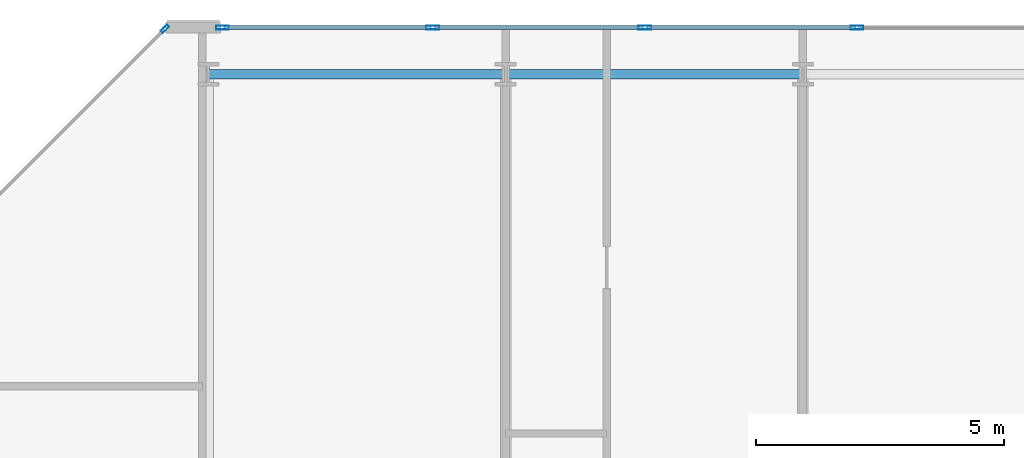
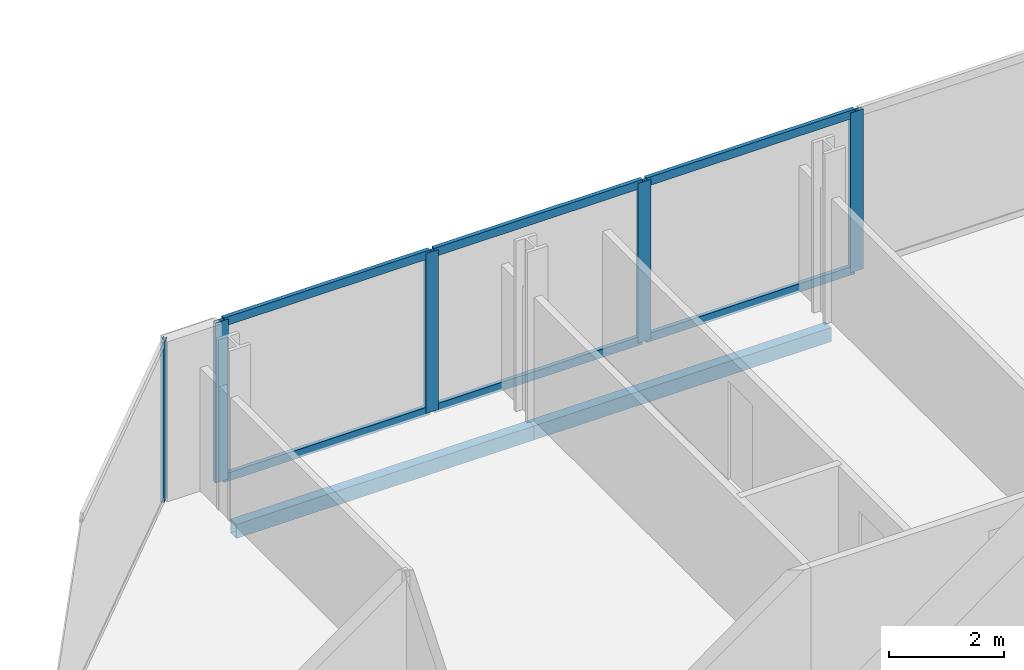
# One storey, part 7 of 19: 11 members, 2 beams, 2 elements without a shape of their own.
"""IFC4 building model written with IfcOpenShell, lengths in metres."""

from ifc_helpers import new_model, si_unit, direction, frame, origin, origin_2d, place, context, subcontext, project, spatial, hollow_rectangle, extrude, material, layer, layer_set, material_profile, profile_set, type_object, element, aggregate, save


model = new_model("IFC4")

# Units and contexts
model_context = context("Model", 3, precision=1e-05, world=origin(), true_north=direction((0.0, 1.0)))
body_context = subcontext(model_context, "Body", "Model", "MODEL_VIEW")
ifc_project = project(units=[si_unit("LENGTHUNIT", "METRE"), si_unit("AREAUNIT", "SQUARE_METRE"), si_unit("VOLUMEUNIT", "CUBIC_METRE"), si_unit("PLANEANGLEUNIT", "RADIAN"), si_unit("MASSUNIT", "GRAM", prefix="KILO")], contexts=[model_context])

# Site, building, storey
site_placement = place(None, origin())
site = spatial("IfcSite", under=ifc_project, at=site_placement, CompositionType="ELEMENT")
building_placement = place(site_placement, origin())
building = spatial("IfcBuilding", under=site, at=building_placement, Name="Tanjung Sevakor Pilgrim Tower", CompositionType="ELEMENT")
storey_placement = place(building_placement, frame((0.0, 0.0, 260.699951171875)))
storey = spatial("IfcBuildingStorey", under=building, at=storey_placement, Name="L73", CompositionType="ELEMENT", Elevation=260.699951171875)

# Beams
ifc_material_1 = material(Name="Steel S355J2", Category="steel")
ifc_material_profile_1 = material_profile(ifc_material_1, hollow_rectangle(XDim=0.199951171875, YDim=0.300048828125, WallThickness=0.012451171875, at=origin_2d()))
ifc_profile_set_1 = profile_set([ifc_material_profile_1], Name="Steel S355J2")
beam_type = type_object("IfcBeamType", Name="BM-B-SP3-RHS_300x200x12.5", PredefinedType="SPANDREL", material=ifc_profile_set_1)
for number, where, z_axis, x_axis, name in (
    (1, (72.0, 53.949951171875, -0.369873046875), (1.0, 0.0, 0.0), (0.0, 1.0, 0.0), "L73 Spandrel EAST N-02"),
    (2, (78.0, 53.949951171875, -0.369873046875), (1.0, 0.0, 0.0), (0.0, 1.0, 0.0), "L73 Spandrel EAST N-04"),
):
    element("IfcBeam", number, at=place(storey_placement, frame(where, z_axis=z_axis, x_axis=x_axis)), inside=storey, type_object=beam_type, Name=name, PredefinedType="SPANDREL", context=body_context, shape_type="SweptSolid", body=[
        extrude(hollow_rectangle(XDim=0.199951171875, YDim=0.300048828125, WallThickness=0.012451171875, at=origin_2d()), origin(), (0.0, 0.0, 1.0), 6.0),
    ])

# Curtain wall, member
ifc_material_2 = material(Name="Aluminium 6063-T6 and Low-E Glass", Category="aluminium")
ifc_layer_1 = layer(ifc_material_2, 0.179931640625)
ifc_layer_set_1 = layer_set([ifc_layer_1], Name="CW-SYS-CHAM")
curtain_wall_type_1 = type_object("IfcCurtainWallType", Name="CW-SYS-CHAM", PredefinedType="NOTDEFINED", material=ifc_layer_set_1)
curtain_wall_1_placement = place(storey_placement, origin())
curtain_wall_1 = element("IfcCurtainWall", 3, at=curtain_wall_1_placement, inside=storey, type_object=curtain_wall_type_1, Name="L73 Curtain Wall CW-CHM-L73-EAST-5", PredefinedType="NOTDEFINED")
ifc_material_3 = material(Name="Aluminium 6063-T6", Category="aluminium")
ifc_material_profile_2 = material_profile(ifc_material_3, hollow_rectangle(XDim=0.06494140625, YDim=0.179931640625, WallThickness=0.00390625, at=origin_2d()))
ifc_profile_set_2 = profile_set([ifc_material_profile_2], Name="Aluminium 6063-T6")
member_type_1 = type_object("IfcMemberType", Name="TYPE-CWM-1", PredefinedType="MULLION", material=ifc_profile_set_2)
member_1_placement = place(storey_placement, frame((71.12255859375, 54.866943359375, 0.0), z_axis=(0.0, 0.0, 1.0), x_axis=(0.707106781187, -0.707106781187, 0.0)))
member_1 = element("IfcMember", 4, at=member_1_placement, type_object=member_type_1, Name="CW-CHM mullion 1", PredefinedType="MULLION", context=body_context, shape_type="SweptSolid", body=[
    extrude(hollow_rectangle(XDim=0.06494140625, YDim=0.179931640625, WallThickness=0.00390625, at=origin_2d()), origin(), (0.0, 0.0, 1.0), 3.41015625),
])
aggregate(curtain_wall_1, [member_1])

# Curtain wall, members
ifc_material_4 = material(Name="Aluminium 6063-T6 and Low-E Glass", Category="aluminium")
ifc_layer_2 = layer(ifc_material_4, 0.219970703125)
ifc_layer_set_2 = layer_set([ifc_layer_2], Name="CW-SYS-CRNE")
curtain_wall_type_2 = type_object("IfcCurtainWallType", Name="CW-SYS-CRNE", PredefinedType="NOTDEFINED", material=ifc_layer_set_2)
curtain_wall_2_placement = place(storey_placement, origin())
curtain_wall_2 = element("IfcCurtainWall", 5, at=curtain_wall_2_placement, inside=storey, type_object=curtain_wall_type_2, Name="L73 Curtain Wall CW-CRN-L73-EAST-4-1", PredefinedType="NOTDEFINED")
ifc_material_5 = material(Name="Aluminium 6063-T6", Category="aluminium")
ifc_material_profile_3 = material_profile(ifc_material_5, hollow_rectangle(XDim=0.080078125, YDim=0.260009765625, WallThickness=0.0048828125, at=origin_2d()))
ifc_profile_set_3 = profile_set([ifc_material_profile_3], Name="Aluminium 6063-T6")
member_type_2 = type_object("IfcMemberType", Name="TYPE-CWM-3", PredefinedType="MULLION", material=ifc_profile_set_3)
member_2_placement = place(storey_placement, frame((85.0908203125, 54.889892578125, 0.0), z_axis=(0.0, 0.0, 1.0), x_axis=(0.0, -1.0, 0.0)))
member_2 = element("IfcMember", 6, at=member_2_placement, type_object=member_type_2, Name="CW-CRE mullion 3", PredefinedType="MULLION", context=body_context, shape_type="SweptSolid", body=[
    extrude(hollow_rectangle(XDim=0.080078125, YDim=0.260009765625, WallThickness=0.0048828125, at=origin_2d()), origin(), (0.0, 0.0, 1.0), 3.41015625),
])
member_3_placement = place(storey_placement, frame((80.80908203125, 54.889892578125, 0.0), z_axis=(0.0, 0.0, 1.0), x_axis=(0.0, -1.0, 0.0)))
member_3 = element("IfcMember", 7, at=member_3_placement, type_object=member_type_2, Name="CW-CRE mullion 4", PredefinedType="MULLION", context=body_context, shape_type="SweptSolid", body=[
    extrude(hollow_rectangle(XDim=0.080078125, YDim=0.260009765625, WallThickness=0.0048828125, at=origin_2d()), origin(), (0.0, 0.0, 1.0), 3.41015625),
])
member_4_placement = place(storey_placement, frame((76.52734375, 54.889892578125, 0.0), z_axis=(0.0, 0.0, 1.0), x_axis=(0.0, -1.0, 0.0)))
member_4 = element("IfcMember", 8, at=member_4_placement, type_object=member_type_2, Name="CW-CRE mullion 5", PredefinedType="MULLION", context=body_context, shape_type="SweptSolid", body=[
    extrude(hollow_rectangle(XDim=0.080078125, YDim=0.260009765625, WallThickness=0.0048828125, at=origin_2d()), origin(), (0.0, 0.0, 1.0), 3.41015625),
])
member_5_placement = place(storey_placement, frame((72.28564453125, 54.889892578125, 0.0), z_axis=(0.0, 0.0, 1.0), x_axis=(0.0, -1.0, 0.0)))
member_5 = element("IfcMember", 9, at=member_5_placement, type_object=member_type_2, Name="CW-CRE mullion 6", PredefinedType="MULLION", context=body_context, shape_type="SweptSolid", body=[
    extrude(hollow_rectangle(XDim=0.080078125, YDim=0.260009765625, WallThickness=0.0048828125, at=origin_2d()), origin(), (0.0, 0.0, 1.0), 3.41015625),
])
ifc_material_6 = material(Name="Aluminium 6063-T6", Category="aluminium")
ifc_material_profile_4 = material_profile(ifc_material_6, hollow_rectangle(XDim=0.080078125, YDim=0.179931640625, WallThickness=0.0048828125, at=origin_2d()))
ifc_profile_set_4 = profile_set([ifc_material_profile_4], Name="Aluminium 6063-T6")
member_type_3 = type_object("IfcMemberType", Name="TYPE-CWT-3", PredefinedType="USERDEFINED", material=ifc_profile_set_4)
member_6_placement = place(storey_placement, frame((85.05078125, 54.889892578125, 0.0400390625), z_axis=(-1.0, 0.0, 0.0), x_axis=(0.0, -1.0, 0.0)))
member_6 = element("IfcMember", 10, at=member_6_placement, type_object=member_type_3, Name="CW-CRE transom 3.1", ObjectType="TRANSOM", PredefinedType="USERDEFINED", context=body_context, shape_type="SweptSolid", body=[
    extrude(hollow_rectangle(XDim=0.080078125, YDim=0.179931640625, WallThickness=0.0048828125, at=origin_2d()), origin(), (0.0, 0.0, 1.0), 4.20166015625),
])
member_7_placement = place(storey_placement, frame((85.05078125, 54.889892578125, 3.3701171875), z_axis=(-1.0, 0.0, 0.0), x_axis=(0.0, -1.0, 0.0)))
member_7 = element("IfcMember", 11, at=member_7_placement, type_object=member_type_3, Name="CW-CRE transom 3.2", ObjectType="TRANSOM", PredefinedType="USERDEFINED", context=body_context, shape_type="SweptSolid", body=[
    extrude(hollow_rectangle(XDim=0.080078125, YDim=0.179931640625, WallThickness=0.0048828125, at=origin_2d()), origin(), (0.0, 0.0, 1.0), 4.20166015625),
])
member_8_placement = place(storey_placement, frame((80.76904296875, 54.889892578125, 0.0400390625), z_axis=(-1.0, 0.0, 0.0), x_axis=(0.0, -1.0, 0.0)))
member_8 = element("IfcMember", 12, at=member_8_placement, type_object=member_type_3, Name="CW-CRE transom 4.1", ObjectType="TRANSOM", PredefinedType="USERDEFINED", context=body_context, shape_type="SweptSolid", body=[
    extrude(hollow_rectangle(XDim=0.080078125, YDim=0.179931640625, WallThickness=0.0048828125, at=origin_2d()), origin(), (0.0, 0.0, 1.0), 4.20166015625),
])
member_9_placement = place(storey_placement, frame((80.76904296875, 54.889892578125, 3.3701171875), z_axis=(-1.0, 0.0, 0.0), x_axis=(0.0, -1.0, 0.0)))
member_9 = element("IfcMember", 13, at=member_9_placement, type_object=member_type_3, Name="CW-CRE transom 4.2", ObjectType="TRANSOM", PredefinedType="USERDEFINED", context=body_context, shape_type="SweptSolid", body=[
    extrude(hollow_rectangle(XDim=0.080078125, YDim=0.179931640625, WallThickness=0.0048828125, at=origin_2d()), origin(), (0.0, 0.0, 1.0), 4.20166015625),
])
member_10_placement = place(storey_placement, frame((76.4873046875, 54.889892578125, 0.0400390625), z_axis=(-1.0, 0.0, 0.0), x_axis=(0.0, -1.0, 0.0)))
member_10 = element("IfcMember", 14, at=member_10_placement, type_object=member_type_3, Name="CW-CRE transom 5.1", ObjectType="TRANSOM", PredefinedType="USERDEFINED", context=body_context, shape_type="SweptSolid", body=[
    extrude(hollow_rectangle(XDim=0.080078125, YDim=0.179931640625, WallThickness=0.0048828125, at=origin_2d()), origin(), (0.0, 0.0, 1.0), 4.16162109375),
])
member_11_placement = place(storey_placement, frame((76.4873046875, 54.889892578125, 3.3701171875), z_axis=(-1.0, 0.0, 0.0), x_axis=(0.0, -1.0, 0.0)))
member_11 = element("IfcMember", 15, at=member_11_placement, type_object=member_type_3, Name="CW-CRE transom 5.2", ObjectType="TRANSOM", PredefinedType="USERDEFINED", context=body_context, shape_type="SweptSolid", body=[
    extrude(hollow_rectangle(XDim=0.080078125, YDim=0.179931640625, WallThickness=0.0048828125, at=origin_2d()), origin(), (0.0, 0.0, 1.0), 4.16162109375),
])
aggregate(curtain_wall_2, [member_2, member_3, member_4, member_5, member_6, member_7, member_8, member_9, member_10, member_11])

save(model, "model.ifc")
